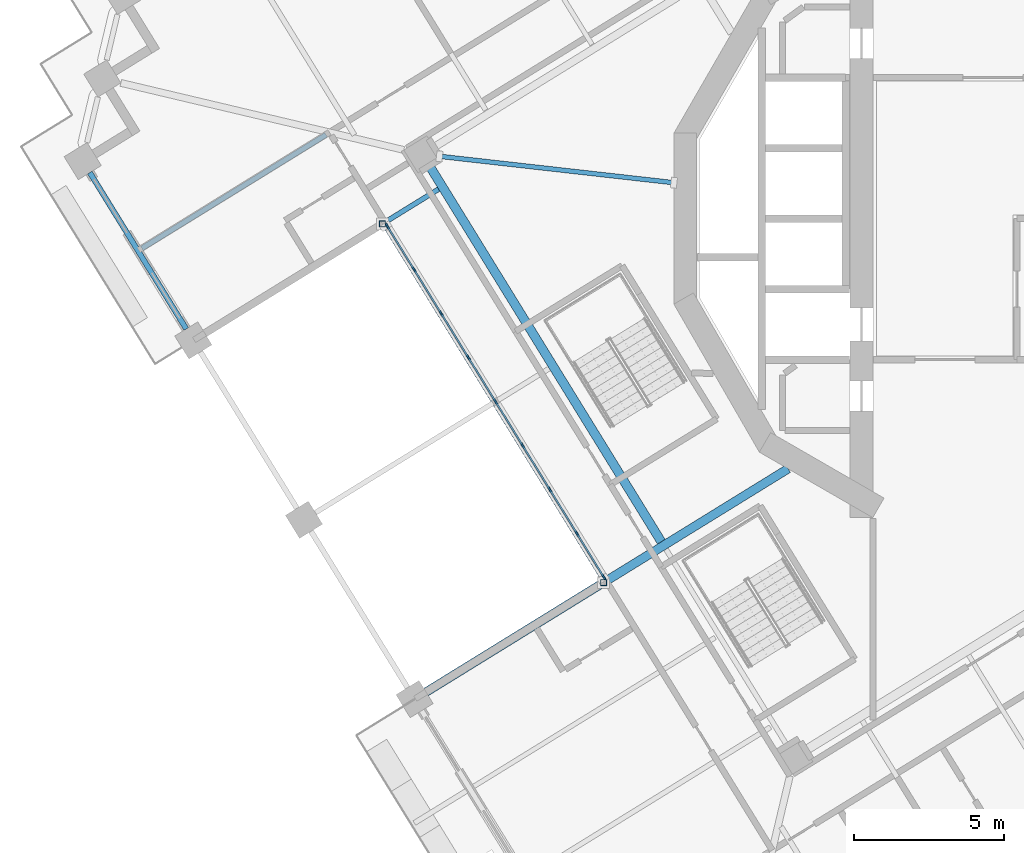
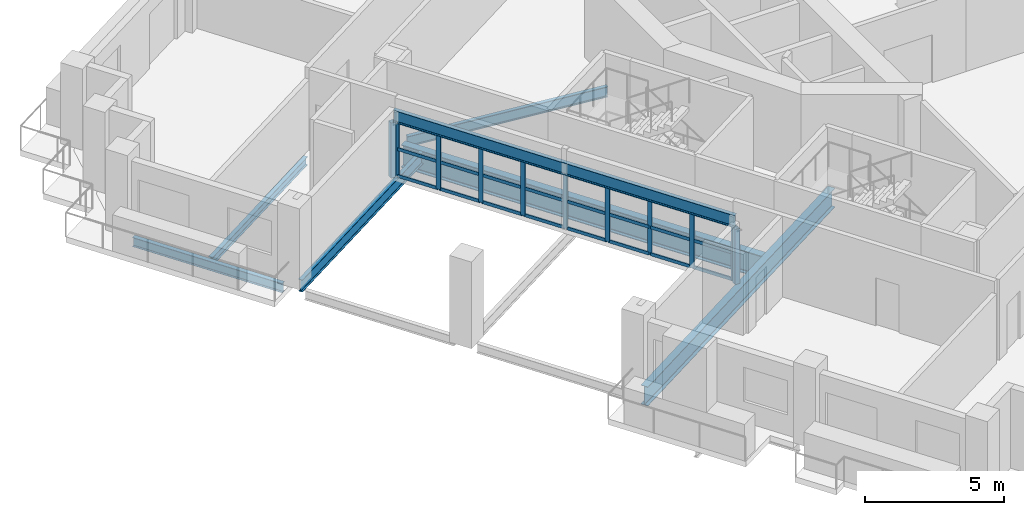
# One storey, part 2 of 20: 35 members, 7 beams, 1 element without a shape of its own.
"""IFC4 building model written with IfcOpenShell, lengths in metres."""

from ifc_helpers import new_model, si_unit, direction, frame, origin, origin_2d, place, context, subcontext, project, spatial, rectangle, hollow_rectangle, i_section, extrude, material, material_profile, profile_set, type_object, element, aggregate, save


model = new_model("IFC4")

# Units and contexts
model_context = context("Model", 3, precision=1e-05, world=origin(), true_north=direction((0.0, 1.0)))
body_context = subcontext(model_context, "Body", "Model", "MODEL_VIEW")
ifc_project = project(units=[si_unit("LENGTHUNIT", "METRE"), si_unit("AREAUNIT", "SQUARE_METRE"), si_unit("VOLUMEUNIT", "CUBIC_METRE"), si_unit("PLANEANGLEUNIT", "RADIAN"), si_unit("MASSUNIT", "GRAM", prefix="KILO")], contexts=[model_context])

# Site, building, storey
site_placement = place(None, origin())
site = spatial("IfcSite", under=ifc_project, at=site_placement, CompositionType="ELEMENT")
building_placement = place(site_placement, origin())
building = spatial("IfcBuilding", under=site, at=building_placement, Name="Cantera Rosa Tower", CompositionType="ELEMENT")
storey_placement = place(building_placement, frame((0.0, 0.0, 151.39990234375)))
storey = spatial("IfcBuildingStorey", under=building, at=storey_placement, Name="L32", CompositionType="ELEMENT", Elevation=151.39990234375)

# Curtain wall, members
ifc_material_1 = material(Name="Aluminium frame with clear glass", Category="aluminium")
curtain_wall_type = type_object("IfcCurtainWallType", Name="CW1 TERRACE POCKET GLAZING", PredefinedType="NOTDEFINED", material=ifc_material_1)
curtain_wall_placement = place(storey_placement, origin())
curtain_wall = element("IfcCurtainWall", 1, at=curtain_wall_placement, inside=storey, type_object=curtain_wall_type, Name="CW1 CW1", PredefinedType="NOTDEFINED")
ifc_material_2 = material(Name="Anodised bronze aluminium", Category="aluminium")
ifc_material_profile_1 = material_profile(ifc_material_2, rectangle(XDim=0.06005859375, YDim=0.179931640625, at=origin_2d()), Name="CW-MULLION 60x180 POCKET")
ifc_profile_set_1 = profile_set([ifc_material_profile_1], Name="Anodised bronze aluminium")
member_type_1 = type_object("IfcMemberType", Name="CW-MULLION 60x180 POCKET", PredefinedType="MULLION", material=ifc_profile_set_1)
member_1_placement = place(storey_placement, frame((-20.1708984375, -0.251708984375, 0.0), z_axis=(0.0, 0.0, 1.0), x_axis=(0.851116672434, 0.52497658034, 0.0)))
member_1 = element("IfcMember", 2, at=member_1_placement, type_object=member_type_1, Name="CW1 mullion 1", PredefinedType="MULLION", context=body_context, shape_type="SweptSolid", body=[
    extrude(rectangle(XDim=0.06005859375, YDim=0.179931640625, at=origin_2d()), origin(), (0.0, 0.0, 1.0), 2.412109375),
])
member_2_placement = place(storey_placement, frame((-19.28173828125, -1.693359375, 0.0), z_axis=(0.0, 0.0, 1.0), x_axis=(0.851116672434, 0.52497658034, 0.0)))
member_2 = element("IfcMember", 3, at=member_2_placement, type_object=member_type_1, Name="CW1 mullion 2", PredefinedType="MULLION", context=body_context, shape_type="SweptSolid", body=[
    extrude(rectangle(XDim=0.06005859375, YDim=0.179931640625, at=origin_2d()), origin(), (0.0, 0.0, 1.0), 2.412109375),
])
member_3_placement = place(storey_placement, frame((-18.376953125, -3.160400390625, 0.0), z_axis=(0.0, 0.0, 1.0), x_axis=(0.851116672434, 0.52497658034, 0.0)))
member_3 = element("IfcMember", 4, at=member_3_placement, type_object=member_type_1, Name="CW1 mullion 3", PredefinedType="MULLION", context=body_context, shape_type="SweptSolid", body=[
    extrude(rectangle(XDim=0.06005859375, YDim=0.179931640625, at=origin_2d()), origin(), (0.0, 0.0, 1.0), 2.412109375),
])
member_4_placement = place(storey_placement, frame((-17.471923828125, -4.62744140625, 0.0), z_axis=(0.0, 0.0, 1.0), x_axis=(0.851116672434, 0.52497658034, 0.0)))
member_4 = element("IfcMember", 5, at=member_4_placement, type_object=member_type_1, Name="CW1 mullion 4", PredefinedType="MULLION", context=body_context, shape_type="SweptSolid", body=[
    extrude(rectangle(XDim=0.06005859375, YDim=0.179931640625, at=origin_2d()), origin(), (0.0, 0.0, 1.0), 2.412109375),
])
member_5_placement = place(storey_placement, frame((-16.56689453125, -6.0947265625, 0.0), z_axis=(0.0, 0.0, 1.0), x_axis=(0.851116672434, 0.52497658034, 0.0)))
member_5 = element("IfcMember", 6, at=member_5_placement, type_object=member_type_1, Name="CW1 mullion 5", PredefinedType="MULLION", context=body_context, shape_type="SweptSolid", body=[
    extrude(rectangle(XDim=0.06005859375, YDim=0.179931640625, at=origin_2d()), origin(), (0.0, 0.0, 1.0), 2.412109375),
])
member_6_placement = place(storey_placement, frame((-15.662109375, -7.561767578125, 0.0), z_axis=(0.0, 0.0, 1.0), x_axis=(0.851116672434, 0.52497658034, 0.0)))
member_6 = element("IfcMember", 7, at=member_6_placement, type_object=member_type_1, Name="CW1 mullion 6", PredefinedType="MULLION", context=body_context, shape_type="SweptSolid", body=[
    extrude(rectangle(XDim=0.06005859375, YDim=0.179931640625, at=origin_2d()), origin(), (0.0, 0.0, 1.0), 2.412109375),
])
member_7_placement = place(storey_placement, frame((-14.757080078125, -9.02880859375, 0.0), z_axis=(0.0, 0.0, 1.0), x_axis=(0.851116672434, 0.52497658034, 0.0)))
member_7 = element("IfcMember", 8, at=member_7_placement, type_object=member_type_1, Name="CW1 mullion 7", PredefinedType="MULLION", context=body_context, shape_type="SweptSolid", body=[
    extrude(rectangle(XDim=0.06005859375, YDim=0.179931640625, at=origin_2d()), origin(), (0.0, 0.0, 1.0), 2.412109375),
])
member_8_placement = place(storey_placement, frame((-13.852294921875, -10.49609375, 0.0), z_axis=(0.0, 0.0, 1.0), x_axis=(0.851116672434, 0.52497658034, 0.0)))
member_8 = element("IfcMember", 9, at=member_8_placement, type_object=member_type_1, Name="CW1 mullion 8", PredefinedType="MULLION", context=body_context, shape_type="SweptSolid", body=[
    extrude(rectangle(XDim=0.06005859375, YDim=0.179931640625, at=origin_2d()), origin(), (0.0, 0.0, 1.0), 2.412109375),
])
member_9_placement = place(storey_placement, frame((-12.963134765625, -11.9375, 0.0), z_axis=(0.0, 0.0, 1.0), x_axis=(0.851116672434, 0.52497658034, 0.0)))
member_9 = element("IfcMember", 10, at=member_9_placement, type_object=member_type_1, Name="CW1 mullion 9", PredefinedType="MULLION", context=body_context, shape_type="SweptSolid", body=[
    extrude(rectangle(XDim=0.06005859375, YDim=0.179931640625, at=origin_2d()), origin(), (0.0, 0.0, 1.0), 2.412109375),
])
ifc_material_3 = material(Name="Anodised bronze aluminium", Category="aluminium")
ifc_material_profile_2 = material_profile(ifc_material_3, rectangle(XDim=0.06005859375, YDim=0.139892578125, at=origin_2d()), Name="CW-TRANSOM 60x140 POCKET")
ifc_profile_set_2 = profile_set([ifc_material_profile_2], Name="Anodised bronze aluminium")
member_type_2 = type_object("IfcMemberType", Name="CW-TRANSOM 60x140 POCKET", PredefinedType="USERDEFINED", material=ifc_profile_set_2)
member_10_placement = place(storey_placement, frame((-20.1552734375, -0.27734375, 0.030029296875), z_axis=(0.525005993613, -0.851098529355, 0.0), x_axis=(0.851098529355, 0.525005993613, 0.0)))
member_10 = element("IfcMember", 11, at=member_10_placement, type_object=member_type_2, Name="CW1 transom 1.1", ObjectType="TRANSOM", PredefinedType="USERDEFINED", context=body_context, shape_type="SweptSolid", body=[
    extrude(rectangle(XDim=0.06005859375, YDim=0.139892578125, at=origin_2d()), origin(), (0.0, 0.0, 1.0), 1.633544921875),
])
member_11_placement = place(storey_placement, frame((-20.1552734375, -0.27734375, 1.2060546875), z_axis=(0.525005993613, -0.851098529355, 0.0), x_axis=(0.851098529355, 0.525005993613, 0.0)))
member_11 = element("IfcMember", 12, at=member_11_placement, type_object=member_type_2, Name="CW1 transom 1.2", ObjectType="TRANSOM", PredefinedType="USERDEFINED", context=body_context, shape_type="SweptSolid", body=[
    extrude(rectangle(XDim=0.06005859375, YDim=0.139892578125, at=origin_2d()), origin(), (0.0, 0.0, 1.0), 1.633544921875),
])
member_12_placement = place(storey_placement, frame((-20.1552734375, -0.27734375, 2.382080078125), z_axis=(0.525005993613, -0.851098529355, 0.0), x_axis=(0.851098529355, 0.525005993613, 0.0)))
member_12 = element("IfcMember", 13, at=member_12_placement, type_object=member_type_2, Name="CW1 transom 1.3", ObjectType="TRANSOM", PredefinedType="USERDEFINED", context=body_context, shape_type="SweptSolid", body=[
    extrude(rectangle(XDim=0.06005859375, YDim=0.139892578125, at=origin_2d()), origin(), (0.0, 0.0, 1.0), 1.633544921875),
])
member_13_placement = place(storey_placement, frame((-19.26611328125, -1.71875, 0.030029296875), z_axis=(0.524964880834, -0.851123888686, 0.0), x_axis=(0.851123888686, 0.524964880834, 0.0)))
member_13 = element("IfcMember", 14, at=member_13_placement, type_object=member_type_2, Name="CW1 transom 2.1", ObjectType="TRANSOM", PredefinedType="USERDEFINED", context=body_context, shape_type="SweptSolid", body=[
    extrude(rectangle(XDim=0.06005859375, YDim=0.139892578125, at=origin_2d()), origin(), (0.0, 0.0, 1.0), 1.6640625),
])
member_14_placement = place(storey_placement, frame((-19.26611328125, -1.71875, 1.2060546875), z_axis=(0.524964880834, -0.851123888686, 0.0), x_axis=(0.851123888686, 0.524964880834, 0.0)))
member_14 = element("IfcMember", 15, at=member_14_placement, type_object=member_type_2, Name="CW1 transom 2.2", ObjectType="TRANSOM", PredefinedType="USERDEFINED", context=body_context, shape_type="SweptSolid", body=[
    extrude(rectangle(XDim=0.06005859375, YDim=0.139892578125, at=origin_2d()), origin(), (0.0, 0.0, 1.0), 1.6640625),
])
member_15_placement = place(storey_placement, frame((-19.26611328125, -1.71875, 2.382080078125), z_axis=(0.524964880834, -0.851123888686, 0.0), x_axis=(0.851123888686, 0.524964880834, 0.0)))
member_15 = element("IfcMember", 16, at=member_15_placement, type_object=member_type_2, Name="CW1 transom 2.3", ObjectType="TRANSOM", PredefinedType="USERDEFINED", context=body_context, shape_type="SweptSolid", body=[
    extrude(rectangle(XDim=0.06005859375, YDim=0.139892578125, at=origin_2d()), origin(), (0.0, 0.0, 1.0), 1.6640625),
])
member_16_placement = place(storey_placement, frame((-18.361083984375, -3.18603515625, 0.030029296875), z_axis=(0.525030443539, -0.851083446765, 0.0), x_axis=(0.851083446765, 0.525030443539, 0.0)))
member_16 = element("IfcMember", 17, at=member_16_placement, type_object=member_type_2, Name="CW1 transom 3.1", ObjectType="TRANSOM", PredefinedType="USERDEFINED", context=body_context, shape_type="SweptSolid", body=[
    extrude(rectangle(XDim=0.06005859375, YDim=0.139892578125, at=origin_2d()), origin(), (0.0, 0.0, 1.0), 1.663818359375),
])
member_17_placement = place(storey_placement, frame((-18.361083984375, -3.18603515625, 1.2060546875), z_axis=(0.525030443539, -0.851083446765, 0.0), x_axis=(0.851083446765, 0.525030443539, 0.0)))
member_17 = element("IfcMember", 18, at=member_17_placement, type_object=member_type_2, Name="CW1 transom 3.2", ObjectType="TRANSOM", PredefinedType="USERDEFINED", context=body_context, shape_type="SweptSolid", body=[
    extrude(rectangle(XDim=0.06005859375, YDim=0.139892578125, at=origin_2d()), origin(), (0.0, 0.0, 1.0), 1.663818359375),
])
member_18_placement = place(storey_placement, frame((-18.361083984375, -3.18603515625, 2.382080078125), z_axis=(0.525030443539, -0.851083446765, 0.0), x_axis=(0.851083446765, 0.525030443539, 0.0)))
member_18 = element("IfcMember", 19, at=member_18_placement, type_object=member_type_2, Name="CW1 transom 3.3", ObjectType="TRANSOM", PredefinedType="USERDEFINED", context=body_context, shape_type="SweptSolid", body=[
    extrude(rectangle(XDim=0.06005859375, YDim=0.139892578125, at=origin_2d()), origin(), (0.0, 0.0, 1.0), 1.663818359375),
])
member_19_placement = place(storey_placement, frame((-17.4560546875, -4.653076171875, 0.030029296875), z_axis=(0.524924142227, -0.851149014514, 0.0), x_axis=(0.851149014514, 0.524924142227, 0.0)))
member_19 = element("IfcMember", 20, at=member_19_placement, type_object=member_type_2, Name="CW1 transom 4.1", ObjectType="TRANSOM", PredefinedType="USERDEFINED", context=body_context, shape_type="SweptSolid", body=[
    extrude(rectangle(XDim=0.06005859375, YDim=0.139892578125, at=origin_2d()), origin(), (0.0, 0.0, 1.0), 1.66357421875),
])
member_20_placement = place(storey_placement, frame((-17.4560546875, -4.653076171875, 1.2060546875), z_axis=(0.524924142227, -0.851149014514, 0.0), x_axis=(0.851149014514, 0.524924142227, 0.0)))
member_20 = element("IfcMember", 21, at=member_20_placement, type_object=member_type_2, Name="CW1 transom 4.2", ObjectType="TRANSOM", PredefinedType="USERDEFINED", context=body_context, shape_type="SweptSolid", body=[
    extrude(rectangle(XDim=0.06005859375, YDim=0.139892578125, at=origin_2d()), origin(), (0.0, 0.0, 1.0), 1.66357421875),
])
member_21_placement = place(storey_placement, frame((-17.4560546875, -4.653076171875, 2.382080078125), z_axis=(0.524924142227, -0.851149014514, 0.0), x_axis=(0.851149014514, 0.524924142227, 0.0)))
member_21 = element("IfcMember", 22, at=member_21_placement, type_object=member_type_2, Name="CW1 transom 4.3", ObjectType="TRANSOM", PredefinedType="USERDEFINED", context=body_context, shape_type="SweptSolid", body=[
    extrude(rectangle(XDim=0.06005859375, YDim=0.139892578125, at=origin_2d()), origin(), (0.0, 0.0, 1.0), 1.66357421875),
])
member_22_placement = place(storey_placement, frame((-16.55126953125, -6.1201171875, 0.030029296875), z_axis=(0.525030443539, -0.851083446765, 0.0), x_axis=(0.851083446765, 0.525030443539, 0.0)))
member_22 = element("IfcMember", 23, at=member_22_placement, type_object=member_type_2, Name="CW1 transom 5.1", ObjectType="TRANSOM", PredefinedType="USERDEFINED", context=body_context, shape_type="SweptSolid", body=[
    extrude(rectangle(XDim=0.06005859375, YDim=0.139892578125, at=origin_2d()), origin(), (0.0, 0.0, 1.0), 1.663818359375),
])
member_23_placement = place(storey_placement, frame((-16.55126953125, -6.1201171875, 1.2060546875), z_axis=(0.525030443539, -0.851083446765, 0.0), x_axis=(0.851083446765, 0.525030443539, 0.0)))
member_23 = element("IfcMember", 24, at=member_23_placement, type_object=member_type_2, Name="CW1 transom 5.2", ObjectType="TRANSOM", PredefinedType="USERDEFINED", context=body_context, shape_type="SweptSolid", body=[
    extrude(rectangle(XDim=0.06005859375, YDim=0.139892578125, at=origin_2d()), origin(), (0.0, 0.0, 1.0), 1.663818359375),
])
member_24_placement = place(storey_placement, frame((-16.55126953125, -6.1201171875, 2.382080078125), z_axis=(0.525030443539, -0.851083446765, 0.0), x_axis=(0.851083446765, 0.525030443539, 0.0)))
member_24 = element("IfcMember", 25, at=member_24_placement, type_object=member_type_2, Name="CW1 transom 5.3", ObjectType="TRANSOM", PredefinedType="USERDEFINED", context=body_context, shape_type="SweptSolid", body=[
    extrude(rectangle(XDim=0.06005859375, YDim=0.139892578125, at=origin_2d()), origin(), (0.0, 0.0, 1.0), 1.663818359375),
])
member_25_placement = place(storey_placement, frame((-15.646240234375, -7.58740234375, 0.030029296875), z_axis=(0.524924142227, -0.851149014514, 0.0), x_axis=(0.851149014514, 0.524924142227, 0.0)))
member_25 = element("IfcMember", 26, at=member_25_placement, type_object=member_type_2, Name="CW1 transom 6.1", ObjectType="TRANSOM", PredefinedType="USERDEFINED", context=body_context, shape_type="SweptSolid", body=[
    extrude(rectangle(XDim=0.06005859375, YDim=0.139892578125, at=origin_2d()), origin(), (0.0, 0.0, 1.0), 1.66357421875),
])
member_26_placement = place(storey_placement, frame((-15.646240234375, -7.58740234375, 1.2060546875), z_axis=(0.524924142227, -0.851149014514, 0.0), x_axis=(0.851149014514, 0.524924142227, 0.0)))
member_26 = element("IfcMember", 27, at=member_26_placement, type_object=member_type_2, Name="CW1 transom 6.2", ObjectType="TRANSOM", PredefinedType="USERDEFINED", context=body_context, shape_type="SweptSolid", body=[
    extrude(rectangle(XDim=0.06005859375, YDim=0.139892578125, at=origin_2d()), origin(), (0.0, 0.0, 1.0), 1.66357421875),
])
member_27_placement = place(storey_placement, frame((-15.646240234375, -7.58740234375, 2.382080078125), z_axis=(0.524924142227, -0.851149014514, 0.0), x_axis=(0.851149014514, 0.524924142227, 0.0)))
member_27 = element("IfcMember", 28, at=member_27_placement, type_object=member_type_2, Name="CW1 transom 6.3", ObjectType="TRANSOM", PredefinedType="USERDEFINED", context=body_context, shape_type="SweptSolid", body=[
    extrude(rectangle(XDim=0.06005859375, YDim=0.139892578125, at=origin_2d()), origin(), (0.0, 0.0, 1.0), 1.66357421875),
])
member_28_placement = place(storey_placement, frame((-14.741455078125, -9.054443359375, 0.030029296875), z_axis=(0.525030443539, -0.851083446765, 0.0), x_axis=(0.851083446765, 0.525030443539, 0.0)))
member_28 = element("IfcMember", 29, at=member_28_placement, type_object=member_type_2, Name="CW1 transom 7.1", ObjectType="TRANSOM", PredefinedType="USERDEFINED", context=body_context, shape_type="SweptSolid", body=[
    extrude(rectangle(XDim=0.06005859375, YDim=0.139892578125, at=origin_2d()), origin(), (0.0, 0.0, 1.0), 1.663818359375),
])
member_29_placement = place(storey_placement, frame((-14.741455078125, -9.054443359375, 1.2060546875), z_axis=(0.525030443539, -0.851083446765, 0.0), x_axis=(0.851083446765, 0.525030443539, 0.0)))
member_29 = element("IfcMember", 30, at=member_29_placement, type_object=member_type_2, Name="CW1 transom 7.2", ObjectType="TRANSOM", PredefinedType="USERDEFINED", context=body_context, shape_type="SweptSolid", body=[
    extrude(rectangle(XDim=0.06005859375, YDim=0.139892578125, at=origin_2d()), origin(), (0.0, 0.0, 1.0), 1.663818359375),
])
member_30_placement = place(storey_placement, frame((-14.741455078125, -9.054443359375, 2.382080078125), z_axis=(0.525030443539, -0.851083446765, 0.0), x_axis=(0.851083446765, 0.525030443539, 0.0)))
member_30 = element("IfcMember", 31, at=member_30_placement, type_object=member_type_2, Name="CW1 transom 7.3", ObjectType="TRANSOM", PredefinedType="USERDEFINED", context=body_context, shape_type="SweptSolid", body=[
    extrude(rectangle(XDim=0.06005859375, YDim=0.139892578125, at=origin_2d()), origin(), (0.0, 0.0, 1.0), 1.663818359375),
])
member_31_placement = place(storey_placement, frame((-13.83642578125, -10.521484375, 0.030029296875), z_axis=(0.524939222981, -0.851139713664, 0.0), x_axis=(0.851139713664, 0.524939222981, 0.0)))
member_31 = element("IfcMember", 32, at=member_31_placement, type_object=member_type_2, Name="CW1 transom 8.1", ObjectType="TRANSOM", PredefinedType="USERDEFINED", context=body_context, shape_type="SweptSolid", body=[
    extrude(rectangle(XDim=0.06005859375, YDim=0.139892578125, at=origin_2d()), origin(), (0.0, 0.0, 1.0), 1.6337890625),
])
member_32_placement = place(storey_placement, frame((-13.83642578125, -10.521484375, 1.2060546875), z_axis=(0.524939222981, -0.851139713664, 0.0), x_axis=(0.851139713664, 0.524939222981, 0.0)))
member_32 = element("IfcMember", 33, at=member_32_placement, type_object=member_type_2, Name="CW1 transom 8.2", ObjectType="TRANSOM", PredefinedType="USERDEFINED", context=body_context, shape_type="SweptSolid", body=[
    extrude(rectangle(XDim=0.06005859375, YDim=0.139892578125, at=origin_2d()), origin(), (0.0, 0.0, 1.0), 1.6337890625),
])
member_33_placement = place(storey_placement, frame((-13.83642578125, -10.521484375, 2.382080078125), z_axis=(0.524939222981, -0.851139713664, 0.0), x_axis=(0.851139713664, 0.524939222981, 0.0)))
member_33 = element("IfcMember", 34, at=member_33_placement, type_object=member_type_2, Name="CW1 transom 8.3", ObjectType="TRANSOM", PredefinedType="USERDEFINED", context=body_context, shape_type="SweptSolid", body=[
    extrude(rectangle(XDim=0.06005859375, YDim=0.139892578125, at=origin_2d()), origin(), (0.0, 0.0, 1.0), 1.6337890625),
])
aggregate(curtain_wall, [member_1, member_2, member_3, member_4, member_5, member_6, member_7, member_8, member_9, member_10, member_11, member_12, member_13, member_14, member_15, member_16, member_17, member_18, member_19, member_20, member_21, member_22, member_23, member_24, member_25, member_26, member_27, member_28, member_29, member_30, member_31, member_32, member_33])

# Members
ifc_material_4 = material(Name="Steel ASTM A992 (Fy 345 MPa)", Category="steel")
ifc_material_profile_3 = material_profile(ifc_material_4, hollow_rectangle(XDim=0.199951171875, YDim=0.199951171875, WallThickness=0.010009765625, at=origin_2d()), Name="LINTEL POST RHS 200x200x10")
ifc_profile_set_3 = profile_set([ifc_material_profile_3], Name="Steel ASTM A992 (Fy 345 MPa)")
member_type_3 = type_object("IfcMemberType", Name="LINTEL POST RHS 200x200x10", PredefinedType="USERDEFINED", material=ifc_profile_set_3)
for number, where, z_axis, x_axis, name in (
    (35, (-20.33740234375, -0.17236328125, 0.0), (0.0, 0.0, 1.0), (1.0, 0.0, 0.0), "LINTEL POST L32-1"),
    (36, (-12.966796875, -12.1220703125, 0.0), (0.0, 0.0, 1.0), (1.0, 0.0, 0.0), "LINTEL POST L32-2"),
):
    element("IfcMember", number, at=place(storey_placement, frame(where, z_axis=z_axis, x_axis=x_axis)), inside=storey, type_object=member_type_3, Name=name, ObjectType="LINTEL POST", PredefinedType="USERDEFINED", context=body_context, shape_type="SweptSolid", body=[
        extrude(hollow_rectangle(XDim=0.199951171875, YDim=0.199951171875, WallThickness=0.010009765625, at=origin_2d()), origin(), (0.0, 0.0, 1.0), 2.4140625),
    ])

# Beams
ifc_material_5 = material(Name="Steel ASTM A992 (Fy 345 MPa)", Category="steel")
ifc_material_profile_4 = material_profile(ifc_material_5, i_section(OverallWidth=0.300048828125, OverallDepth=0.990966796875, WebThickness=0.0166015625, FlangeThickness=0.030517578125, FilletRadius=0.030029296875, at=origin_2d()), Name="W1000X272")
ifc_profile_set_4 = profile_set([ifc_material_profile_4], Name="Steel ASTM A992 (Fy 345 MPa)")
beam_type_1 = type_object("IfcBeamType", Name="STEEL BEAM W1000X272", PredefinedType="BEAM", material=ifc_profile_set_4)
beam_1_placement = place(storey_placement, frame((-11.04541015625, -10.7607421875, -0.745361328125), z_axis=(-0.524974072618, 0.851118219215, 0.0), x_axis=(-0.851118219215, -0.524974072618, 0.0)))
element("IfcBeam", 37, at=beam_1_placement, inside=storey, type_object=beam_type_1, Name="RB-Z3-08 L32", PredefinedType="BEAM", context=body_context, shape_type="SweptSolid", body=[
    extrude(i_section(OverallWidth=0.300048828125, OverallDepth=0.990966796875, WebThickness=0.0166015625, FlangeThickness=0.030517578125, FilletRadius=0.030029296875, at=origin_2d()), origin(), (0.0, 0.0, 1.0), 14.7099609375),
])
ifc_material_6 = material(Name="Steel ASTM A992 (Fy 345 MPa)", Category="steel")
ifc_material_profile_5 = material_profile(ifc_material_6, i_section(OverallWidth=0.154052734375, OverallDepth=0.4599609375, WebThickness=0.009033203125, FlangeThickness=0.015380859375, FilletRadius=0.01025390625, at=origin_2d()), Name="W460X68")
ifc_profile_set_5 = profile_set([ifc_material_profile_5], Name="Steel ASTM A992 (Fy 345 MPa)")
beam_type_2 = type_object("IfcBeamType", Name="STEEL BEAM W460X68", PredefinedType="BEAM", material=ifc_profile_set_5)
beam_2_placement = place(storey_placement, frame((-18.435791015625, 2.078125, -0.47998046875), z_axis=(0.993707483767, -0.11200641368, 0.0), x_axis=(0.11200641368, 0.993707483767, 0.0)))
element("IfcBeam", 38, at=beam_2_placement, inside=storey, type_object=beam_type_2, Name="PG-Z3-01 L32", PredefinedType="BEAM", context=body_context, shape_type="SweptSolid", body=[
    extrude(i_section(OverallWidth=0.154052734375, OverallDepth=0.4599609375, WebThickness=0.009033203125, FlangeThickness=0.015380859375, FilletRadius=0.01025390625, at=origin_2d()), origin(), (0.0, 0.0, 1.0), 7.860107421875),
])
ifc_material_7 = material(Name="Steel ASTM A992 (Fy 345 MPa)", Category="steel")
ifc_material_profile_6 = material_profile(ifc_material_7, i_section(OverallWidth=0.166015625, OverallDepth=0.528076171875, WebThickness=0.009765625, FlangeThickness=0.013671875, FilletRadius=0.0126953125, at=origin_2d()), Name="W530X74")
ifc_profile_set_6 = profile_set([ifc_material_profile_6], Name="Steel ASTM A992 (Fy 345 MPa)")
beam_type_3 = type_object("IfcBeamType", Name="STEEL BEAM W530X74", PredefinedType="BEAM", material=ifc_profile_set_6)
beam_3_placement = place(storey_placement, frame((-26.252685546875, -3.82080078125, -0.513916015625), z_axis=(0.851116426313, 0.524976979362, 0.0), x_axis=(-0.524976979362, 0.851116426313, 0.0)))
element("IfcBeam", 39, at=beam_3_placement, inside=storey, type_object=beam_type_3, Name="G-Z3-13 L32", PredefinedType="BEAM", context=body_context, shape_type="SweptSolid", body=[
    extrude(i_section(OverallWidth=0.166015625, OverallDepth=0.528076171875, WebThickness=0.009765625, FlangeThickness=0.013671875, FilletRadius=0.0126953125, at=origin_2d()), origin(), (0.0, 0.0, 1.0), 9.14990234375),
])
beam_4_placement = place(storey_placement, frame((-20.2685546875, -0.188720703125, 2.677978515625), z_axis=(0.524975617117, -0.851117266557, 0.0), x_axis=(0.851117266557, 0.524975617117, 0.0)))
element("IfcBeam", 40, at=beam_4_placement, inside=storey, type_object=beam_type_3, Name="LINTEL SL-L32", PredefinedType="BEAM", context=body_context, shape_type="SweptSolid", body=[
    extrude(i_section(OverallWidth=0.166015625, OverallDepth=0.528076171875, WebThickness=0.009765625, FlangeThickness=0.013671875, FilletRadius=0.0126953125, at=origin_2d()), origin(), (0.0, 0.0, 1.0), 13.93994140625),
])
ifc_material_8 = material(Name="Steel ASTM A992 (Fy 345 MPa)", Category="steel")
ifc_material_profile_7 = material_profile(ifc_material_8, i_section(OverallWidth=0.2919921875, OverallDepth=0.8359375, WebThickness=0.013916015625, FlangeThickness=0.018798828125, FilletRadius=0.017822265625, at=origin_2d()), Name="W840X176")
ifc_profile_set_7 = profile_set([ifc_material_profile_7], Name="Steel ASTM A992 (Fy 345 MPa)")
beam_type_4 = type_object("IfcBeamType", Name="STEEL BEAM W840X176", PredefinedType="BEAM", material=ifc_profile_set_7)
beam_5_placement = place(storey_placement, frame((-18.882080078125, -15.7705078125, -0.66796875), z_axis=(0.8511231456, 0.524966085595, 0.0), x_axis=(-0.524966085595, 0.8511231456, 0.0)))
element("IfcBeam", 41, at=beam_5_placement, inside=storey, type_object=beam_type_4, Name="G-Z3-15 L32", PredefinedType="BEAM", context=body_context, shape_type="SweptSolid", body=[
    extrude(i_section(OverallWidth=0.2919921875, OverallDepth=0.8359375, WebThickness=0.013916015625, FlangeThickness=0.018798828125, FilletRadius=0.017822265625, at=origin_2d()), origin(), (0.0, 0.0, 1.0), 14.17138671875),
])
ifc_material_9 = material(Name="Steel ASTM A992 (Fy 345 MPa)", Category="steel")
ifc_material_profile_8 = material_profile(ifc_material_9, i_section(OverallWidth=0.1708984375, OverallDepth=0.35595703125, WebThickness=0.00732421875, FlangeThickness=0.01171875, FilletRadius=0.010009765625, at=origin_2d()), Name="W360X51")
ifc_profile_set_8 = profile_set([ifc_material_profile_8], Name="Steel ASTM A992 (Fy 345 MPa)")
beam_type_5 = type_object("IfcBeamType", Name="STEEL JOIST W360X51", PredefinedType="JOIST", material=ifc_profile_set_8)
beam_6_placement = place(storey_placement, frame((-28.3505859375, -0.990966796875, -0.427978515625), z_axis=(0.851109089911, 0.524988873283, 0.0), x_axis=(-0.524988873283, 0.851109089911, 0.0)))
element("IfcBeam", 42, at=beam_6_placement, inside=storey, type_object=beam_type_5, Name="B-Z3-16 L32", PredefinedType="JOIST", context=body_context, shape_type="SweptSolid", body=[
    extrude(i_section(OverallWidth=0.1708984375, OverallDepth=0.35595703125, WebThickness=0.00732421875, FlangeThickness=0.01171875, FilletRadius=0.010009765625, at=origin_2d()), origin(), (0.0, 0.0, 1.0), 7.2099609375),
])
ifc_material_10 = material(Name="Steel ASTM A992 (Fy 345 MPa)", Category="steel")
ifc_material_profile_9 = material_profile(ifc_material_10, i_section(OverallWidth=0.177978515625, OverallDepth=0.406005859375, WebThickness=0.0078125, FlangeThickness=0.0126953125, FilletRadius=0.01025390625, at=origin_2d()), Name="W410X60")
ifc_profile_set_9 = profile_set([ifc_material_profile_9], Name="Steel ASTM A992 (Fy 345 MPa)")
beam_type_6 = type_object("IfcBeamType", Name="STEEL SPANDREL BEAM W410X60", PredefinedType="SPANDREL", material=ifc_profile_set_9)
beam_7_placement = place(storey_placement, frame((-30.084716796875, 1.53466796875, -0.452880859375), z_axis=(0.524987447654, -0.851109969279, 0.0), x_axis=(0.851109969279, 0.524987447654, 0.0)))
element("IfcBeam", 43, at=beam_7_placement, inside=storey, type_object=beam_type_6, Name="EB-Z3-15 L32", PredefinedType="SPANDREL", context=body_context, shape_type="SweptSolid", body=[
    extrude(i_section(OverallWidth=0.177978515625, OverallDepth=0.406005859375, WebThickness=0.0078125, FlangeThickness=0.0126953125, FilletRadius=0.01025390625, at=origin_2d()), origin(), (0.0, 0.0, 1.0), 6.119873046875),
])

save(model, "model.ifc")
